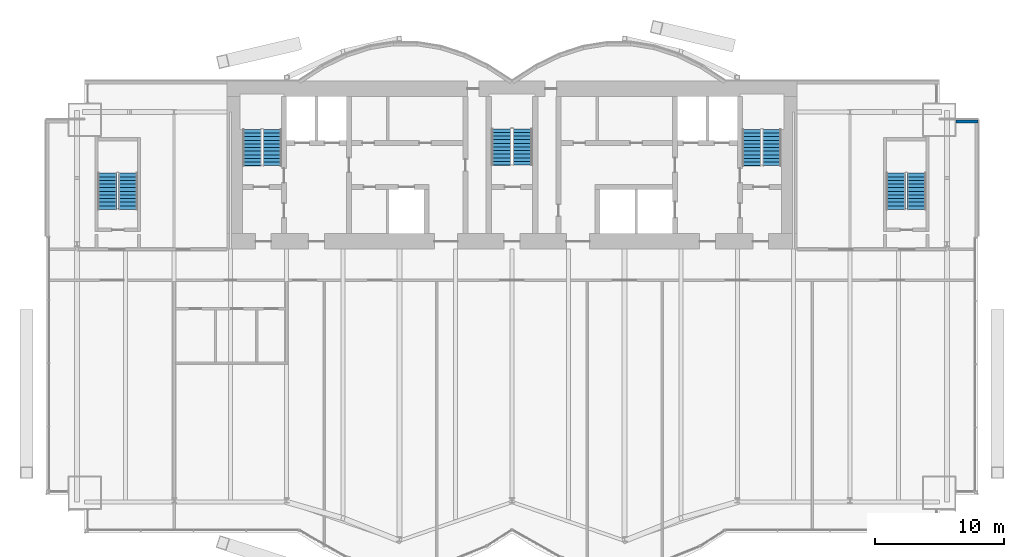
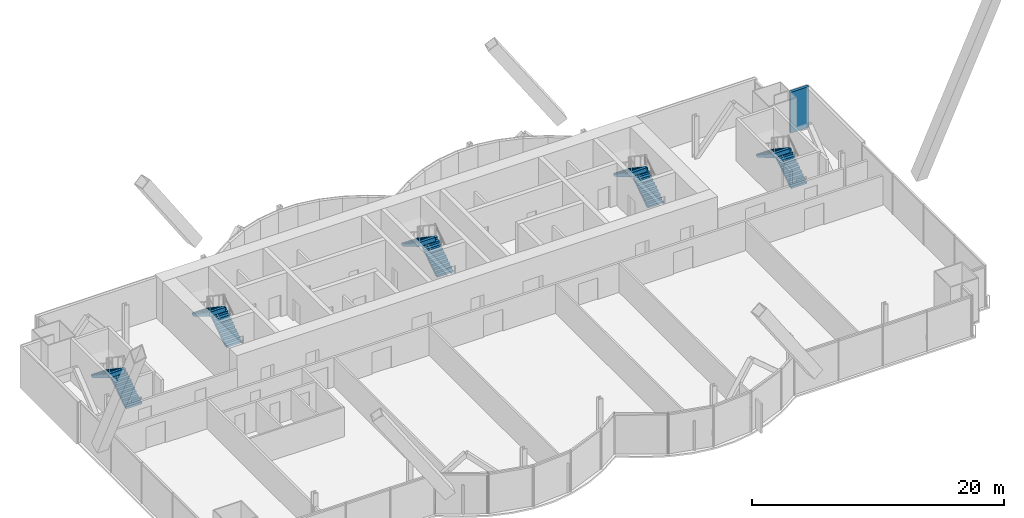
# One storey, part 21 of 24: 10 stair flights, 1 wall, 5 elements without a shape of their own.
"""IFC4 building model written with IfcOpenShell, lengths in metres."""

from ifc_helpers import new_model, si_unit, direction, frame, frame_2d, origin, place, context, subcontext, project, spatial, polyline, rectangle, outline, extrude, material, layer, layer_set, layer_usage, type_object, element, aggregate, save


model = new_model("IFC4")

# Units and contexts
model_context = context("Model", 3, precision=1e-05, world=origin(), true_north=direction((0.0, 1.0)))
body_context = subcontext(model_context, "Body", "Model", "MODEL_VIEW")
ifc_project = project(units=[si_unit("LENGTHUNIT", "METRE"), si_unit("AREAUNIT", "SQUARE_METRE"), si_unit("VOLUMEUNIT", "CUBIC_METRE"), si_unit("PLANEANGLEUNIT", "RADIAN"), si_unit("MASSUNIT", "GRAM", prefix="KILO")], contexts=[model_context])

# Site, building, storey
site_placement = place(None, origin())
site = spatial("IfcSite", under=ifc_project, at=site_placement, CompositionType="ELEMENT")
building_placement = place(site_placement, origin())
building = spatial("IfcBuilding", under=site, at=building_placement, Name="Bicima Exchange Tower", CompositionType="ELEMENT")
storey_placement = place(building_placement, frame((0.0, 0.0, 160.89990234375)))
storey = spatial("IfcBuildingStorey", under=building, at=storey_placement, Name="L35", CompositionType="ELEMENT", Elevation=160.89990234375)

# Wall
ifc_material_1 = material(Name="Concrete C40/50", Category="concrete")
ifc_layer = layer(ifc_material_1, 0.25)
ifc_layer_set = layer_set([ifc_layer], Name="Concrete C40/50")
ifc_layer_usage = layer_usage(ifc_layer_set, "AXIS2", "POSITIVE", -0.125)
wall_type = type_object("IfcWallType", Name="Rear backup wall 250", PredefinedType="STANDARD", material=ifc_layer_set)
wall_placement = place(storey_placement, frame((36.0, -3.125, 0.0), z_axis=(0.0, 0.0, 1.0), x_axis=(-1.0, 0.0, 0.0)))
element("IfcWall", 1, at=wall_placement, inside=storey, type_object=wall_type, material=ifc_layer_usage, Name="Rear backup wall L35 51", PredefinedType="STANDARD", context=body_context, shape_type="SweptSolid", body=[
    extrude(rectangle(XDim=1.699951171875, YDim=0.25, at=frame_2d((0.85009765625, 0.0))), origin(), (0.0, 0.0, 1.0), 3.9501953125),
])

# Stair, stair flights
ifc_material_2 = material(Name="Concrete C50/60", Category="concrete")
stair_type_1 = type_object("IfcStairType", Name="Exit stair", PredefinedType="HALF_TURN_STAIR", material=ifc_material_2)
stair_1_placement = place(storey_placement, origin())
stair_1 = element("IfcStair", 2, at=stair_1_placement, inside=storey, type_object=stair_type_1, Name="L35 West exit stair", PredefinedType="HALF_TURN_STAIR")
stair_flight_type_1 = type_object("IfcStairFlightType", Name="Stair flight RC", PredefinedType="STRAIGHT", material=ifc_material_2)
stair_flight_1_placement = place(storey_placement, frame((-18.52490234375, -6.550048828125, 0.0), z_axis=(0.0, 0.0, 1.0), x_axis=(0.0, 1.0, 0.0)))
stair_flight_1 = element("IfcStairFlight", 3, at=stair_flight_1_placement, type_object=stair_flight_type_1, Name="ST-W flight 1", NumberOfRisers=11, NumberOfTreads=10, PredefinedType="STRAIGHT", RiserHeight=0.186363636, TreadLength=0.28, context=body_context, shape_type="SweptSolid", body=[
    extrude(outline(polyline([(0.0, 0.0), (0.0, 0.186279296875), (0.280029296875, 0.186279296875), (0.280029296875, 0.372802734375), (0.56005859375, 0.372802734375), (0.56005859375, 0.55908203125), (0.840087890625, 0.55908203125), (0.840087890625, 0.745361328125), (1.1201171875, 0.745361328125), (1.1201171875, 0.931884765625), (1.39990234375, 0.931884765625), (1.39990234375, 1.1181640625), (1.679931640625, 1.1181640625), (1.679931640625, 1.304443359375), (1.9599609375, 1.304443359375), (1.9599609375, 1.490966796875), (2.239990234375, 1.490966796875), (2.239990234375, 1.67724609375), (2.52001953125, 1.67724609375), (2.52001953125, 1.863525390625), (2.800048828125, 1.863525390625), (2.800048828125, 2.050048828125), (2.800048828125, 1.68359375), (0.2705078125, 0.0), (0.0, 0.0)])), frame((0.0, 0.72509765625, 0.0), z_axis=(0.0, -1.0, 0.0), x_axis=(1.0, 0.0, 0.0)), (0.0, 0.0, 1.0), 1.449951171875),
])
stair_flight_2_placement = place(storey_placement, frame((-20.074951171875, -3.75, 2.050048828125), z_axis=(0.0, 0.0, 1.0), x_axis=(0.0, -1.0, 0.0)))
stair_flight_2 = element("IfcStairFlight", 4, at=stair_flight_2_placement, type_object=stair_flight_type_1, Name="ST-W flight 2", NumberOfRisers=11, NumberOfTreads=10, PredefinedType="STRAIGHT", RiserHeight=0.186363636, TreadLength=0.28, context=body_context, shape_type="SweptSolid", body=[
    extrude(outline(polyline([(0.0, 0.0), (0.0, 0.186279296875), (0.280029296875, 0.186279296875), (0.280029296875, 0.372802734375), (0.56005859375, 0.372802734375), (0.56005859375, 0.55908203125), (0.840087890625, 0.55908203125), (0.840087890625, 0.745361328125), (1.1201171875, 0.745361328125), (1.1201171875, 0.931884765625), (1.39990234375, 0.931884765625), (1.39990234375, 1.1181640625), (1.679931640625, 1.1181640625), (1.679931640625, 1.304443359375), (1.9599609375, 1.304443359375), (1.9599609375, 1.490966796875), (2.239990234375, 1.490966796875), (2.239990234375, 1.67724609375), (2.52001953125, 1.67724609375), (2.52001953125, 1.863525390625), (2.800048828125, 1.863525390625), (2.800048828125, 1.904052734375), (2.81494140625, 1.904052734375), (2.81494140625, 1.507080078125), (0.2705078125, 0.0), (0.0, 0.0)])), frame((0.0, 0.72509765625, 0.0), z_axis=(0.0, -1.0, 0.0), x_axis=(1.0, 0.0, 0.0)), (0.0, 0.0, 1.0), 1.449951171875),
])
aggregate(stair_1, [stair_flight_1, stair_flight_2])

stair_2_placement = place(storey_placement, origin())
stair_2 = element("IfcStair", 5, at=stair_2_placement, inside=storey, type_object=stair_type_1, Name="L35 East exit stair", PredefinedType="HALF_TURN_STAIR")
stair_flight_3_placement = place(storey_placement, frame((20.074951171875, -6.550048828125, 0.0), z_axis=(0.0, 0.0, 1.0), x_axis=(0.0, 1.0, 0.0)))
stair_flight_3 = element("IfcStairFlight", 6, at=stair_flight_3_placement, type_object=stair_flight_type_1, Name="ST-E flight 1", NumberOfRisers=11, NumberOfTreads=10, PredefinedType="STRAIGHT", RiserHeight=0.186363636, TreadLength=0.28, context=body_context, shape_type="SweptSolid", body=[
    extrude(outline(polyline([(0.0, 0.0), (0.0, 0.186279296875), (0.280029296875, 0.186279296875), (0.280029296875, 0.372802734375), (0.56005859375, 0.372802734375), (0.56005859375, 0.55908203125), (0.840087890625, 0.55908203125), (0.840087890625, 0.745361328125), (1.1201171875, 0.745361328125), (1.1201171875, 0.931884765625), (1.39990234375, 0.931884765625), (1.39990234375, 1.1181640625), (1.679931640625, 1.1181640625), (1.679931640625, 1.304443359375), (1.9599609375, 1.304443359375), (1.9599609375, 1.490966796875), (2.239990234375, 1.490966796875), (2.239990234375, 1.67724609375), (2.52001953125, 1.67724609375), (2.52001953125, 1.863525390625), (2.800048828125, 1.863525390625), (2.800048828125, 2.050048828125), (2.800048828125, 1.68359375), (0.2705078125, 0.0), (0.0, 0.0)])), frame((0.0, 0.72509765625, 0.0), z_axis=(0.0, -1.0, 0.0), x_axis=(1.0, 0.0, 0.0)), (0.0, 0.0, 1.0), 1.449951171875),
])
stair_flight_4_placement = place(storey_placement, frame((18.52490234375, -3.75, 2.050048828125), z_axis=(0.0, 0.0, 1.0), x_axis=(0.0, -1.0, 0.0)))
stair_flight_4 = element("IfcStairFlight", 7, at=stair_flight_4_placement, type_object=stair_flight_type_1, Name="ST-E flight 2", NumberOfRisers=11, NumberOfTreads=10, PredefinedType="STRAIGHT", RiserHeight=0.186363636, TreadLength=0.28, context=body_context, shape_type="SweptSolid", body=[
    extrude(outline(polyline([(0.0, 0.0), (0.0, 0.186279296875), (0.280029296875, 0.186279296875), (0.280029296875, 0.372802734375), (0.56005859375, 0.372802734375), (0.56005859375, 0.55908203125), (0.840087890625, 0.55908203125), (0.840087890625, 0.745361328125), (1.1201171875, 0.745361328125), (1.1201171875, 0.931884765625), (1.39990234375, 0.931884765625), (1.39990234375, 1.1181640625), (1.679931640625, 1.1181640625), (1.679931640625, 1.304443359375), (1.9599609375, 1.304443359375), (1.9599609375, 1.490966796875), (2.239990234375, 1.490966796875), (2.239990234375, 1.67724609375), (2.52001953125, 1.67724609375), (2.52001953125, 1.863525390625), (2.800048828125, 1.863525390625), (2.800048828125, 1.904052734375), (2.81494140625, 1.904052734375), (2.81494140625, 1.507080078125), (0.2705078125, 0.0), (0.0, 0.0)])), frame((0.0, 0.72509765625, 0.0), z_axis=(0.0, -1.0, 0.0), x_axis=(1.0, 0.0, 0.0)), (0.0, 0.0, 1.0), 1.449951171875),
])
aggregate(stair_2, [stair_flight_3, stair_flight_4])

stair_3_placement = place(storey_placement, origin())
stair_3 = element("IfcStair", 8, at=stair_3_placement, inside=storey, type_object=stair_type_1, Name="L35 West end exit stair", PredefinedType="HALF_TURN_STAIR")
stair_flight_5_placement = place(storey_placement, frame((-29.64990234375, -9.925048828125, 0.0), z_axis=(0.0, 0.0, 1.0), x_axis=(0.0, 1.0, 0.0)))
stair_flight_5 = element("IfcStairFlight", 9, at=stair_flight_5_placement, type_object=stair_flight_type_1, Name="ST-WW flight 1", NumberOfRisers=11, NumberOfTreads=10, PredefinedType="STRAIGHT", RiserHeight=0.186363636, TreadLength=0.28, context=body_context, shape_type="SweptSolid", body=[
    extrude(outline(polyline([(0.0, 0.0), (0.0, 0.186279296875), (0.280029296875, 0.186279296875), (0.280029296875, 0.372802734375), (0.56005859375, 0.372802734375), (0.56005859375, 0.55908203125), (0.840087890625, 0.55908203125), (0.840087890625, 0.745361328125), (1.1201171875, 0.745361328125), (1.1201171875, 0.931884765625), (1.39990234375, 0.931884765625), (1.39990234375, 1.1181640625), (1.679931640625, 1.1181640625), (1.679931640625, 1.304443359375), (1.9599609375, 1.304443359375), (1.9599609375, 1.490966796875), (2.239990234375, 1.490966796875), (2.239990234375, 1.67724609375), (2.52001953125, 1.67724609375), (2.52001953125, 1.863525390625), (2.800048828125, 1.863525390625), (2.800048828125, 2.050048828125), (2.800048828125, 1.68359375), (0.2705078125, 0.0), (0.0, 0.0)])), frame((0.0, 0.72509765625, 0.0), z_axis=(0.0, -1.0, 0.0), x_axis=(1.0, 0.0, 0.0)), (0.0, 0.0, 1.0), 1.449951171875),
])
stair_flight_6_placement = place(storey_placement, frame((-31.25, -7.125, 2.050048828125), z_axis=(0.0, 0.0, 1.0), x_axis=(0.0, -1.0, 0.0)))
stair_flight_6 = element("IfcStairFlight", 10, at=stair_flight_6_placement, type_object=stair_flight_type_1, Name="ST-WW flight 2", NumberOfRisers=11, NumberOfTreads=10, PredefinedType="STRAIGHT", RiserHeight=0.186363636, TreadLength=0.28, context=body_context, shape_type="SweptSolid", body=[
    extrude(outline(polyline([(0.0, 0.0), (0.0, 0.186279296875), (0.280029296875, 0.186279296875), (0.280029296875, 0.372802734375), (0.56005859375, 0.372802734375), (0.56005859375, 0.55908203125), (0.840087890625, 0.55908203125), (0.840087890625, 0.745361328125), (1.1201171875, 0.745361328125), (1.1201171875, 0.931884765625), (1.39990234375, 0.931884765625), (1.39990234375, 1.1181640625), (1.679931640625, 1.1181640625), (1.679931640625, 1.304443359375), (1.9599609375, 1.304443359375), (1.9599609375, 1.490966796875), (2.239990234375, 1.490966796875), (2.239990234375, 1.67724609375), (2.52001953125, 1.67724609375), (2.52001953125, 1.863525390625), (2.800048828125, 1.863525390625), (2.800048828125, 1.904052734375), (2.81494140625, 1.904052734375), (2.81494140625, 1.507080078125), (0.2705078125, 0.0), (0.0, 0.0)])), frame((0.0, 0.72509765625, 0.0), z_axis=(0.0, -1.0, 0.0), x_axis=(1.0, 0.0, 0.0)), (0.0, 0.0, 1.0), 1.449951171875),
])
aggregate(stair_3, [stair_flight_5, stair_flight_6])

stair_4_placement = place(storey_placement, origin())
stair_4 = element("IfcStair", 11, at=stair_4_placement, inside=storey, type_object=stair_type_1, Name="L35 East end exit stair", PredefinedType="HALF_TURN_STAIR")
stair_flight_7_placement = place(storey_placement, frame((31.25, -9.925048828125, 0.0), z_axis=(0.0, 0.0, 1.0), x_axis=(0.0, 1.0, 0.0)))
stair_flight_7 = element("IfcStairFlight", 12, at=stair_flight_7_placement, type_object=stair_flight_type_1, Name="ST-EE flight 1", NumberOfRisers=11, NumberOfTreads=10, PredefinedType="STRAIGHT", RiserHeight=0.186363636, TreadLength=0.28, context=body_context, shape_type="SweptSolid", body=[
    extrude(outline(polyline([(0.0, 0.0), (0.0, 0.186279296875), (0.280029296875, 0.186279296875), (0.280029296875, 0.372802734375), (0.56005859375, 0.372802734375), (0.56005859375, 0.55908203125), (0.840087890625, 0.55908203125), (0.840087890625, 0.745361328125), (1.1201171875, 0.745361328125), (1.1201171875, 0.931884765625), (1.39990234375, 0.931884765625), (1.39990234375, 1.1181640625), (1.679931640625, 1.1181640625), (1.679931640625, 1.304443359375), (1.9599609375, 1.304443359375), (1.9599609375, 1.490966796875), (2.239990234375, 1.490966796875), (2.239990234375, 1.67724609375), (2.52001953125, 1.67724609375), (2.52001953125, 1.863525390625), (2.800048828125, 1.863525390625), (2.800048828125, 2.050048828125), (2.800048828125, 1.68359375), (0.2705078125, 0.0), (0.0, 0.0)])), frame((0.0, 0.72509765625, 0.0), z_axis=(0.0, -1.0, 0.0), x_axis=(1.0, 0.0, 0.0)), (0.0, 0.0, 1.0), 1.449951171875),
])
stair_flight_8_placement = place(storey_placement, frame((29.64990234375, -7.125, 2.050048828125), z_axis=(0.0, 0.0, 1.0), x_axis=(0.0, -1.0, 0.0)))
stair_flight_8 = element("IfcStairFlight", 13, at=stair_flight_8_placement, type_object=stair_flight_type_1, Name="ST-EE flight 2", NumberOfRisers=11, NumberOfTreads=10, PredefinedType="STRAIGHT", RiserHeight=0.186363636, TreadLength=0.28, context=body_context, shape_type="SweptSolid", body=[
    extrude(outline(polyline([(0.0, 0.0), (0.0, 0.186279296875), (0.280029296875, 0.186279296875), (0.280029296875, 0.372802734375), (0.56005859375, 0.372802734375), (0.56005859375, 0.55908203125), (0.840087890625, 0.55908203125), (0.840087890625, 0.745361328125), (1.1201171875, 0.745361328125), (1.1201171875, 0.931884765625), (1.39990234375, 0.931884765625), (1.39990234375, 1.1181640625), (1.679931640625, 1.1181640625), (1.679931640625, 1.304443359375), (1.9599609375, 1.304443359375), (1.9599609375, 1.490966796875), (2.239990234375, 1.490966796875), (2.239990234375, 1.67724609375), (2.52001953125, 1.67724609375), (2.52001953125, 1.863525390625), (2.800048828125, 1.863525390625), (2.800048828125, 1.904052734375), (2.81494140625, 1.904052734375), (2.81494140625, 1.507080078125), (0.2705078125, 0.0), (0.0, 0.0)])), frame((0.0, 0.72509765625, 0.0), z_axis=(0.0, -1.0, 0.0), x_axis=(1.0, 0.0, 0.0)), (0.0, 0.0, 1.0), 1.449951171875),
])
aggregate(stair_4, [stair_flight_7, stair_flight_8])

stair_type_2 = type_object("IfcStairType", Name="Exit stair 1500", PredefinedType="HALF_TURN_STAIR", material=ifc_material_2)
stair_5_placement = place(storey_placement, origin())
stair_5 = element("IfcStair", 14, at=stair_5_placement, inside=storey, type_object=stair_type_2, Name="L35 Central exit stair", PredefinedType="HALF_TURN_STAIR")
stair_flight_type_2 = type_object("IfcStairFlightType", Name="Stair flight RC 1500", PredefinedType="STRAIGHT", material=ifc_material_2)
stair_flight_9_placement = place(storey_placement, frame((0.824951171875, -6.5, 0.0), z_axis=(0.0, 0.0, 1.0), x_axis=(0.0, 1.0, 0.0)))
stair_flight_9 = element("IfcStairFlight", 15, at=stair_flight_9_placement, type_object=stair_flight_type_2, Name="ST-C flight 1", NumberOfRisers=11, NumberOfTreads=10, PredefinedType="STRAIGHT", RiserHeight=0.186363636, TreadLength=0.28, context=body_context, shape_type="SweptSolid", body=[
    extrude(outline(polyline([(0.0, 0.0), (0.0, 0.186279296875), (0.280029296875, 0.186279296875), (0.280029296875, 0.372802734375), (0.56005859375, 0.372802734375), (0.56005859375, 0.55908203125), (0.840087890625, 0.55908203125), (0.840087890625, 0.745361328125), (1.1201171875, 0.745361328125), (1.1201171875, 0.931884765625), (1.39990234375, 0.931884765625), (1.39990234375, 1.1181640625), (1.679931640625, 1.1181640625), (1.679931640625, 1.304443359375), (1.9599609375, 1.304443359375), (1.9599609375, 1.490966796875), (2.239990234375, 1.490966796875), (2.239990234375, 1.67724609375), (2.52001953125, 1.67724609375), (2.52001953125, 1.863525390625), (2.800048828125, 1.863525390625), (2.800048828125, 2.050048828125), (2.800048828125, 1.68359375), (0.2705078125, 0.0), (0.0, 0.0)])), frame((0.0, 0.75, 0.0), z_axis=(0.0, -1.0, 0.0), x_axis=(1.0, 0.0, 0.0)), (0.0, 0.0, 1.0), 1.5),
])
stair_flight_10_placement = place(storey_placement, frame((-0.824951171875, -3.699951171875, 2.050048828125), z_axis=(0.0, 0.0, 1.0), x_axis=(0.0, -1.0, 0.0)))
stair_flight_10 = element("IfcStairFlight", 16, at=stair_flight_10_placement, type_object=stair_flight_type_2, Name="ST-C flight 2", NumberOfRisers=11, NumberOfTreads=10, PredefinedType="STRAIGHT", RiserHeight=0.186363636, TreadLength=0.28, context=body_context, shape_type="SweptSolid", body=[
    extrude(outline(polyline([(0.0, 0.0), (0.0, 0.186279296875), (0.280029296875, 0.186279296875), (0.280029296875, 0.372802734375), (0.56005859375, 0.372802734375), (0.56005859375, 0.55908203125), (0.840087890625, 0.55908203125), (0.840087890625, 0.745361328125), (1.1201171875, 0.745361328125), (1.1201171875, 0.931884765625), (1.39990234375, 0.931884765625), (1.39990234375, 1.1181640625), (1.679931640625, 1.1181640625), (1.679931640625, 1.304443359375), (1.9599609375, 1.304443359375), (1.9599609375, 1.490966796875), (2.239990234375, 1.490966796875), (2.239990234375, 1.67724609375), (2.52001953125, 1.67724609375), (2.52001953125, 1.863525390625), (2.800048828125, 1.863525390625), (2.800048828125, 1.904052734375), (2.81494140625, 1.904052734375), (2.81494140625, 1.507080078125), (0.2705078125, 0.0), (0.0, 0.0)])), frame((0.0, 0.75, 0.0), z_axis=(0.0, -1.0, 0.0), x_axis=(1.0, 0.0, 0.0)), (0.0, 0.0, 1.0), 1.5),
])
aggregate(stair_5, [stair_flight_9, stair_flight_10])

save(model, "model.ifc")
